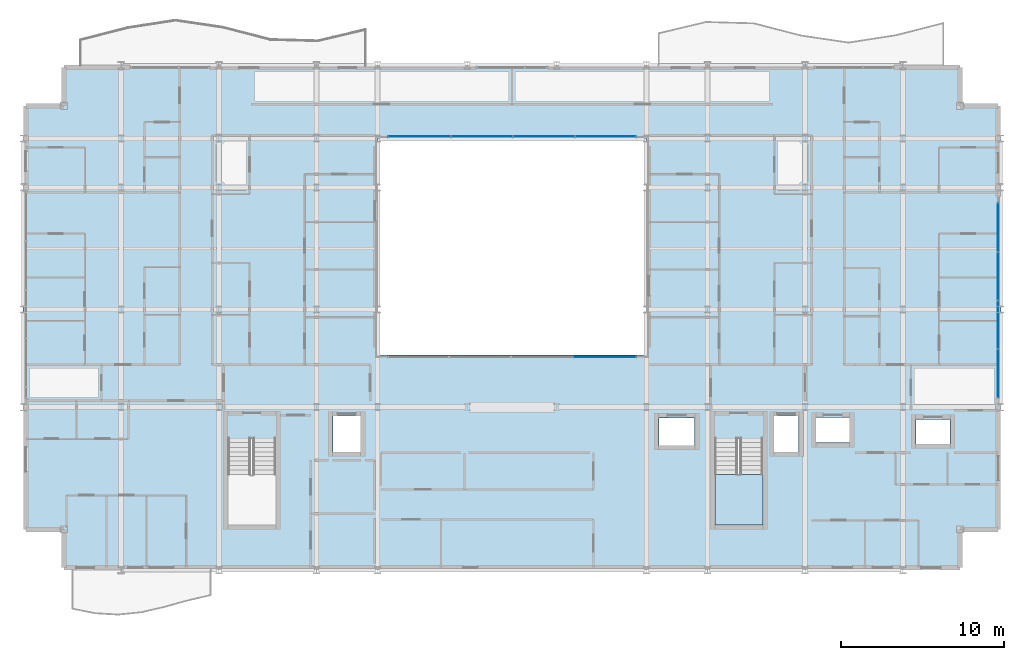
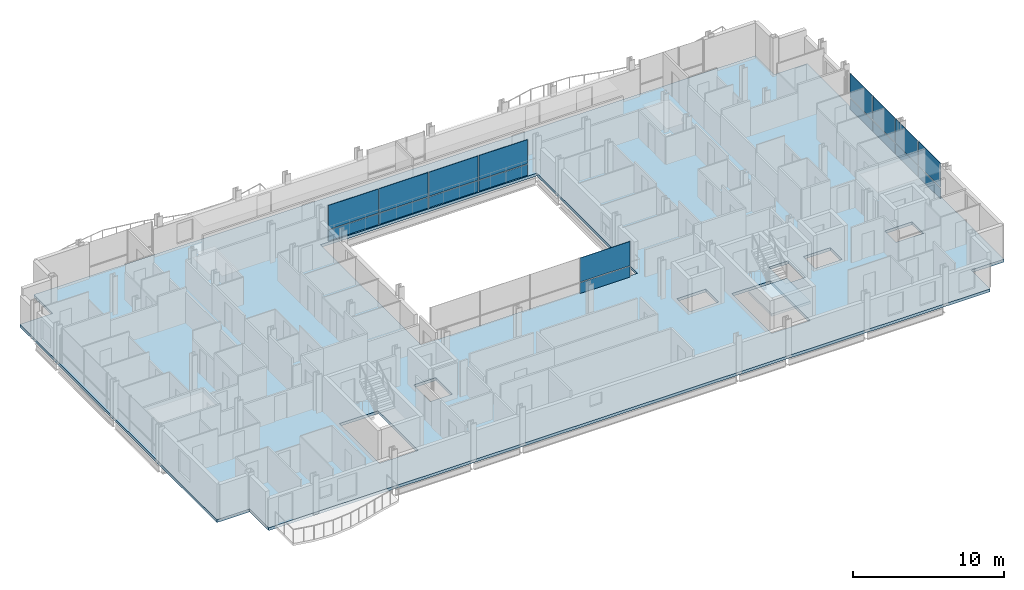
# One storey, part 27 of 41: 18 plates, 2 slabs, 4 elements without a shape of their own.
"""IFC4 building model written with IfcOpenShell, lengths in metres."""

from ifc_helpers import new_model, si_unit, direction, frame, origin, origin_2d, place, context, subcontext, project, spatial, polyline, rectangle, outline, extrude, material, layer, layer_set, type_object, element, aggregate, save


model = new_model("IFC4")

# Units and contexts
model_context = context("Model", 3, precision=1e-05, world=origin(), true_north=direction((0.0, 1.0)))
body_context = subcontext(model_context, "Body", "Model", "MODEL_VIEW")
ifc_project = project(units=[si_unit("LENGTHUNIT", "METRE"), si_unit("AREAUNIT", "SQUARE_METRE"), si_unit("VOLUMEUNIT", "CUBIC_METRE"), si_unit("PLANEANGLEUNIT", "RADIAN"), si_unit("MASSUNIT", "GRAM", prefix="KILO")], contexts=[model_context])

# Site, building, storey
site_placement = place(None, origin())
site = spatial("IfcSite", under=ifc_project, at=site_placement, CompositionType="ELEMENT")
building_placement = place(site_placement, origin())
building = spatial("IfcBuilding", under=site, at=building_placement, Name="Brevholm Reach", CompositionType="ELEMENT")
storey_placement = place(building_placement, frame((0.0, 0.0, 68.300048828125)))
storey = spatial("IfcBuildingStorey", under=building, at=storey_placement, Name="L19", CompositionType="ELEMENT", Elevation=68.300048828125)

# Curtain wall, plates
ifc_material_1 = material(Name="Dark Anodised Aluminium 6063-T6 and Solar-Control Glass", Category="aluminium")
ifc_layer_1 = layer(ifc_material_1, 0.14990234375)
ifc_layer_set_1 = layer_set([ifc_layer_1], Name="Dark Anodised Aluminium 6063-T6 and Solar-Control Glass")
curtain_wall_type_1 = type_object("IfcCurtainWallType", Name="CW-01", PredefinedType="NOTDEFINED", material=ifc_layer_set_1)
curtain_wall_1_placement = place(storey_placement, origin())
curtain_wall_1 = element("IfcCurtainWall", 1, at=curtain_wall_1_placement, inside=storey, type_object=curtain_wall_type_1, Name="L19 Curtain Wall CW-01", PredefinedType="NOTDEFINED")
ifc_material_2 = material(Name="Dark Solar-Control Double-Glazed IGU Glass", Category="glass")
ifc_layer_2 = layer(ifc_material_2, 0.028076171875)
ifc_layer_set_2 = layer_set([ifc_layer_2], Name="Dark Solar-Control Double-Glazed IGU Glass")
plate_type_1 = type_object("IfcPlateType", Name="CWP-GLZ-28", PredefinedType="CURTAIN_PANEL", material=ifc_layer_set_2)
plate_1_placement = place(storey_placement, frame((59.85009765625, 12.066162109375, 0.0), z_axis=(0.0, 0.0, 1.0), x_axis=(0.0, 1.0, 0.0)))
plate_1 = element("IfcPlate", 2, at=plate_1_placement, type_object=plate_type_1, Name="CP-01 Glazing Panel 1.1", PredefinedType="CURTAIN_PANEL", context=body_context, shape_type="SweptSolid", body=[
    extrude(rectangle(XDim=2.902587890625, YDim=0.028076171875, at=origin_2d()), origin(), (0.0, 0.0, 1.0), 0.867431640625),
])
plate_2_placement = place(storey_placement, frame((59.85009765625, 12.066162109375, 0.932373046875), z_axis=(0.0, 0.0, 1.0), x_axis=(0.0, 1.0, 0.0)))
plate_2 = element("IfcPlate", 3, at=plate_2_placement, type_object=plate_type_1, Name="CP-01 Glazing Panel 1.2", PredefinedType="CURTAIN_PANEL", context=body_context, shape_type="SweptSolid", body=[
    extrude(rectangle(XDim=2.902587890625, YDim=0.028076171875, at=origin_2d()), origin(), (0.0, 0.0, 1.0), 1.9375),
])
plate_3_placement = place(storey_placement, frame((59.85009765625, 15.050048828125, 0.0), z_axis=(0.0, 0.0, 1.0), x_axis=(0.0, 1.0, 0.0)))
plate_3 = element("IfcPlate", 4, at=plate_3_placement, type_object=plate_type_1, Name="CP-01 Glazing Panel 2.1", PredefinedType="CURTAIN_PANEL", context=body_context, shape_type="SweptSolid", body=[
    extrude(rectangle(XDim=2.93505859375, YDim=0.028076171875, at=origin_2d()), origin(), (0.0, 0.0, 1.0), 0.867431640625),
])
plate_4_placement = place(storey_placement, frame((59.85009765625, 15.050048828125, 0.932373046875), z_axis=(0.0, 0.0, 1.0), x_axis=(0.0, 1.0, 0.0)))
plate_4 = element("IfcPlate", 5, at=plate_4_placement, type_object=plate_type_1, Name="CP-01 Glazing Panel 2.2", PredefinedType="CURTAIN_PANEL", context=body_context, shape_type="SweptSolid", body=[
    extrude(rectangle(XDim=2.93505859375, YDim=0.028076171875, at=origin_2d()), origin(), (0.0, 0.0, 1.0), 1.9375),
])
plate_5_placement = place(storey_placement, frame((59.85009765625, 18.050048828125, 0.0), z_axis=(0.0, 0.0, 1.0), x_axis=(0.0, 1.0, 0.0)))
plate_5 = element("IfcPlate", 6, at=plate_5_placement, type_object=plate_type_1, Name="CP-01 Glazing Panel 3.1", PredefinedType="CURTAIN_PANEL", context=body_context, shape_type="SweptSolid", body=[
    extrude(rectangle(XDim=2.93505859375, YDim=0.028076171875, at=origin_2d()), origin(), (0.0, 0.0, 1.0), 0.867431640625),
])
plate_6_placement = place(storey_placement, frame((59.85009765625, 18.050048828125, 0.932373046875), z_axis=(0.0, 0.0, 1.0), x_axis=(0.0, 1.0, 0.0)))
plate_6 = element("IfcPlate", 7, at=plate_6_placement, type_object=plate_type_1, Name="CP-01 Glazing Panel 3.2", PredefinedType="CURTAIN_PANEL", context=body_context, shape_type="SweptSolid", body=[
    extrude(rectangle(XDim=2.93505859375, YDim=0.028076171875, at=origin_2d()), origin(), (0.0, 0.0, 1.0), 1.9375),
])
plate_7_placement = place(storey_placement, frame((59.85009765625, 21.050048828125, 0.0), z_axis=(0.0, 0.0, 1.0), x_axis=(0.0, 1.0, 0.0)))
plate_7 = element("IfcPlate", 8, at=plate_7_placement, type_object=plate_type_1, Name="CP-01 Glazing Panel 4.1", PredefinedType="CURTAIN_PANEL", context=body_context, shape_type="SweptSolid", body=[
    extrude(rectangle(XDim=2.93505859375, YDim=0.028076171875, at=origin_2d()), origin(), (0.0, 0.0, 1.0), 0.867431640625),
])
plate_8_placement = place(storey_placement, frame((59.85009765625, 21.050048828125, 0.932373046875), z_axis=(0.0, 0.0, 1.0), x_axis=(0.0, 1.0, 0.0)))
plate_8 = element("IfcPlate", 9, at=plate_8_placement, type_object=plate_type_1, Name="CP-01 Glazing Panel 4.2", PredefinedType="CURTAIN_PANEL", context=body_context, shape_type="SweptSolid", body=[
    extrude(rectangle(XDim=2.93505859375, YDim=0.028076171875, at=origin_2d()), origin(), (0.0, 0.0, 1.0), 1.9375),
])
aggregate(curtain_wall_1, [plate_1, plate_2, plate_3, plate_4, plate_5, plate_6, plate_7, plate_8])

ifc_material_3 = material(Name="Dark Anodised Aluminium 6063-T6 and Solar-Control Glass", Category="aluminium")
ifc_layer_3 = layer(ifc_material_3, 0.139892578125)
ifc_layer_set_3 = layer_set([ifc_layer_3], Name="Dark Anodised Aluminium 6063-T6 and Solar-Control Glass")
curtain_wall_type_2 = type_object("IfcCurtainWallType", Name="CW-02", PredefinedType="NOTDEFINED", material=ifc_layer_set_3)
curtain_wall_2_placement = place(storey_placement, origin())
curtain_wall_2 = element("IfcCurtainWall", 10, at=curtain_wall_2_placement, inside=storey, type_object=curtain_wall_type_2, Name="L19 Curtain Wall CW-02", PredefinedType="NOTDEFINED")
ifc_material_4 = material(Name="Low-Iron Laminated Acoustic Glass", Category="glass")
ifc_layer_4 = layer(ifc_material_4, 0.035888671875)
ifc_layer_set_4 = layer_set([ifc_layer_4], Name="Low-Iron Laminated Acoustic Glass")
plate_type_2 = type_object("IfcPlateType", Name="CWP-GLZ-36", PredefinedType="CURTAIN_PANEL", material=ifc_layer_set_4)
plate_9_placement = place(storey_placement, frame((35.68505859375, 13.080078125, 0.0), z_axis=(0.0, 0.0, 1.0), x_axis=(1.0, 0.0, 0.0)))
plate_9 = element("IfcPlate", 11, at=plate_9_placement, type_object=plate_type_2, Name="CP-02 Glazing Panel 4.1", PredefinedType="CURTAIN_PANEL", context=body_context, shape_type="SweptSolid", body=[
    extrude(rectangle(XDim=3.81005859375, YDim=0.035888671875, at=origin_2d()), origin(), (0.0, 0.0, 1.0), 0.8701171875),
])
plate_10_placement = place(storey_placement, frame((35.68505859375, 13.080078125, 0.929931640625), z_axis=(0.0, 0.0, 1.0), x_axis=(1.0, 0.0, 0.0)))
plate_10 = element("IfcPlate", 12, at=plate_10_placement, type_object=plate_type_2, Name="CP-02 Glazing Panel 4.2", PredefinedType="CURTAIN_PANEL", context=body_context, shape_type="SweptSolid", body=[
    extrude(rectangle(XDim=3.81005859375, YDim=0.035888671875, at=origin_2d()), origin(), (0.0, 0.0, 1.0), 1.93994140625),
])
aggregate(curtain_wall_2, [plate_9, plate_10])

curtain_wall_3_placement = place(storey_placement, origin())
curtain_wall_3 = element("IfcCurtainWall", 13, at=curtain_wall_3_placement, inside=storey, type_object=curtain_wall_type_2, Name="L19 Curtain Wall CW-02", PredefinedType="NOTDEFINED")
plate_11_placement = place(storey_placement, frame((35.735107421875, 26.6201171875, 0.0), z_axis=(0.0, 0.0, 1.0), x_axis=(-1.0, 0.0, 0.0)))
plate_11 = element("IfcPlate", 14, at=plate_11_placement, type_object=plate_type_2, Name="CP-02 Glazing Panel 1.1", PredefinedType="CURTAIN_PANEL", context=body_context, shape_type="SweptSolid", body=[
    extrude(rectangle(XDim=3.7099609375, YDim=0.035888671875, at=origin_2d()), origin(), (0.0, 0.0, 1.0), 0.8701171875),
])
plate_12_placement = place(storey_placement, frame((35.735107421875, 26.6201171875, 0.929931640625), z_axis=(0.0, 0.0, 1.0), x_axis=(-1.0, 0.0, 0.0)))
plate_12 = element("IfcPlate", 15, at=plate_12_placement, type_object=plate_type_2, Name="CP-02 Glazing Panel 1.2", PredefinedType="CURTAIN_PANEL", context=body_context, shape_type="SweptSolid", body=[
    extrude(rectangle(XDim=3.7099609375, YDim=0.035888671875, at=origin_2d()), origin(), (0.0, 0.0, 1.0), 1.93994140625),
])
plate_13_placement = place(storey_placement, frame((31.949951171875, 26.6201171875, 0.0), z_axis=(0.0, 0.0, 1.0), x_axis=(-1.0, 0.0, 0.0)))
plate_13 = element("IfcPlate", 16, at=plate_13_placement, type_object=plate_type_2, Name="CP-02 Glazing Panel 2.1", PredefinedType="CURTAIN_PANEL", context=body_context, shape_type="SweptSolid", body=[
    extrude(rectangle(XDim=3.739990234375, YDim=0.035888671875, at=origin_2d()), origin(), (0.0, 0.0, 1.0), 0.8701171875),
])
plate_14_placement = place(storey_placement, frame((31.949951171875, 26.6201171875, 0.929931640625), z_axis=(0.0, 0.0, 1.0), x_axis=(-1.0, 0.0, 0.0)))
plate_14 = element("IfcPlate", 17, at=plate_14_placement, type_object=plate_type_2, Name="CP-02 Glazing Panel 2.2", PredefinedType="CURTAIN_PANEL", context=body_context, shape_type="SweptSolid", body=[
    extrude(rectangle(XDim=3.739990234375, YDim=0.035888671875, at=origin_2d()), origin(), (0.0, 0.0, 1.0), 1.93994140625),
])
plate_15_placement = place(storey_placement, frame((28.14990234375, 26.6201171875, 0.0), z_axis=(0.0, 0.0, 1.0), x_axis=(-1.0, 0.0, 0.0)))
plate_15 = element("IfcPlate", 18, at=plate_15_placement, type_object=plate_type_2, Name="CP-02 Glazing Panel 3.1", PredefinedType="CURTAIN_PANEL", context=body_context, shape_type="SweptSolid", body=[
    extrude(rectangle(XDim=3.739990234375, YDim=0.035888671875, at=origin_2d()), origin(), (0.0, 0.0, 1.0), 0.8701171875),
])
plate_16_placement = place(storey_placement, frame((28.14990234375, 26.6201171875, 0.929931640625), z_axis=(0.0, 0.0, 1.0), x_axis=(-1.0, 0.0, 0.0)))
plate_16 = element("IfcPlate", 19, at=plate_16_placement, type_object=plate_type_2, Name="CP-02 Glazing Panel 3.2", PredefinedType="CURTAIN_PANEL", context=body_context, shape_type="SweptSolid", body=[
    extrude(rectangle(XDim=3.739990234375, YDim=0.035888671875, at=origin_2d()), origin(), (0.0, 0.0, 1.0), 1.93994140625),
])
plate_17_placement = place(storey_placement, frame((24.31494140625, 26.6201171875, 0.0), z_axis=(0.0, 0.0, 1.0), x_axis=(-1.0, 0.0, 0.0)))
plate_17 = element("IfcPlate", 20, at=plate_17_placement, type_object=plate_type_2, Name="CP-02 Glazing Panel 4.1", PredefinedType="CURTAIN_PANEL", context=body_context, shape_type="SweptSolid", body=[
    extrude(rectangle(XDim=3.81005859375, YDim=0.035888671875, at=origin_2d()), origin(), (0.0, 0.0, 1.0), 0.8701171875),
])
plate_18_placement = place(storey_placement, frame((24.31494140625, 26.6201171875, 0.929931640625), z_axis=(0.0, 0.0, 1.0), x_axis=(-1.0, 0.0, 0.0)))
plate_18 = element("IfcPlate", 21, at=plate_18_placement, type_object=plate_type_2, Name="CP-02 Glazing Panel 4.2", PredefinedType="CURTAIN_PANEL", context=body_context, shape_type="SweptSolid", body=[
    extrude(rectangle(XDim=3.81005859375, YDim=0.035888671875, at=origin_2d()), origin(), (0.0, 0.0, 1.0), 1.93994140625),
])
aggregate(curtain_wall_3, [plate_11, plate_12, plate_13, plate_14, plate_15, plate_16, plate_17, plate_18])

# Slab
ifc_material_5 = material(Name="Concrete C40/50", Category="concrete")
ifc_layer_5 = layer(ifc_material_5, 0.22998046875)
ifc_layer_set_5 = layer_set([ifc_layer_5], Name="Concrete C40/50")
slab_type_1 = type_object("IfcSlabType", Name="SLB-FL-230", PredefinedType="FLOOR", material=ifc_layer_set_5)
slab_1_placement = place(storey_placement, frame((0.0, 0.0, -0.22998046875)))
element("IfcSlab", 22, at=slab_1_placement, inside=storey, type_object=slab_type_1, Name="L19 Suspended Floor Slab (main)", PredefinedType="FLOOR", context=body_context, shape_type="SweptSolid", body=[
    extrude(outline(polyline([(2.5, 0.0), (57.5, 0.0), (57.5, 2.5), (60.0, 2.5), (60.0, 28.5), (57.5, 28.5), (57.5, 31.0), (2.5, 31.0), (2.5, 28.5), (0.0, 28.5), (0.0, 2.5), (2.5, 2.5), (2.5, 0.0)]), holes=[polyline([(21.75, 13.199951171875), (38.25, 13.199951171875), (38.25, 26.5), (21.75, 26.5), (21.75, 13.199951171875)]), polyline([(12.550048828125, 2.780029296875), (15.5, 2.780029296875), (15.5, 8.044921875), (12.550048828125, 8.044921875), (12.550048828125, 2.780029296875)]), polyline([(42.449951171875, 2.780029296875), (45.39990234375, 2.780029296875), (45.39990234375, 8.044921875), (42.449951171875, 8.044921875), (42.449951171875, 2.780029296875)]), polyline([(19.0, 7.25), (20.699951171875, 7.25), (20.699951171875, 9.449951171875), (19.0, 9.449951171875), (19.0, 7.25)]), polyline([(46.10009765625, 7.25), (47.60009765625, 7.25), (47.60009765625, 9.449951171875), (46.10009765625, 9.449951171875), (46.10009765625, 7.25)]), polyline([(48.675048828125, 7.824951171875), (50.72509765625, 7.824951171875), (50.72509765625, 9.375), (48.675048828125, 9.375), (48.675048828125, 7.824951171875)]), polyline([(54.800048828125, 7.75), (56.89990234375, 7.75), (56.89990234375, 9.25), (54.800048828125, 9.25), (54.800048828125, 7.75)]), polyline([(39.02001953125, 7.64990234375), (41.219970703125, 7.64990234375), (41.219970703125, 9.35009765625), (39.02001953125, 9.35009765625), (39.02001953125, 7.64990234375)])]), origin(), (0.0, 0.0, 1.0), 0.22998046875),
])

# Stair, slab
ifc_material_6 = material(Name="Precast Concrete C40/50", Category="concrete")
stair_type = type_object("IfcStairType", Name="STR-ESC-1400", PredefinedType="DOUBLE_RETURN_STAIR", material=ifc_material_6)
stair_placement = place(storey_placement, origin())
stair = element("IfcStair", 23, at=stair_placement, inside=storey, type_object=stair_type, Name="L19 ST-2", PredefinedType="DOUBLE_RETURN_STAIR")
ifc_material_7 = material(Name="Concrete C40/50", Category="concrete")
ifc_layer_6 = layer(ifc_material_7, 0.199951171875)
ifc_layer_set_6 = layer_set([ifc_layer_6], Name="Concrete C40/50")
slab_type_2 = type_object("IfcSlabType", Name="SLB-LND-200", PredefinedType="LANDING", material=ifc_layer_set_6)
slab_2_placement = place(storey_placement, frame((0.0, 0.0, 1.349853515625)))
slab_2 = element("IfcSlab", 24, at=slab_2_placement, type_object=slab_type_2, Name="ST-2 landing 1", PredefinedType="LANDING", context=body_context, shape_type="SweptSolid", body=[
    extrude(outline(polyline([(42.449951171875, 5.860107421875), (42.449951171875, 2.780029296875), (45.39990234375, 2.780029296875), (45.39990234375, 5.860107421875), (42.449951171875, 5.860107421875)])), origin(), (0.0, 0.0, 1.0), 0.2001953125),
])
aggregate(stair, [slab_2])

save(model, "model.ifc")
